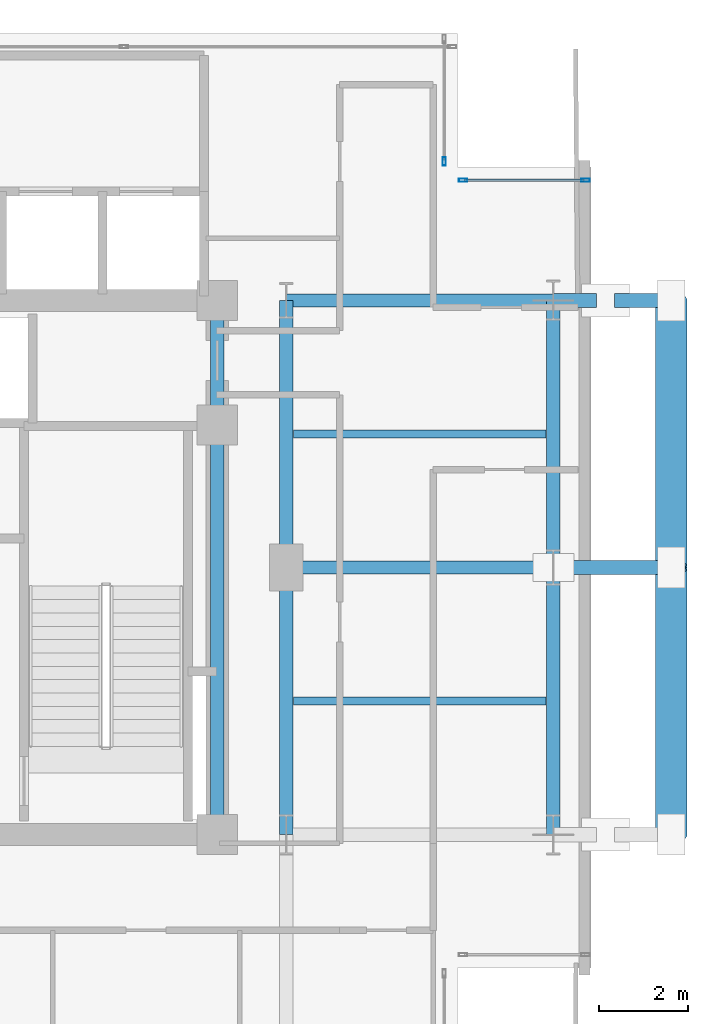
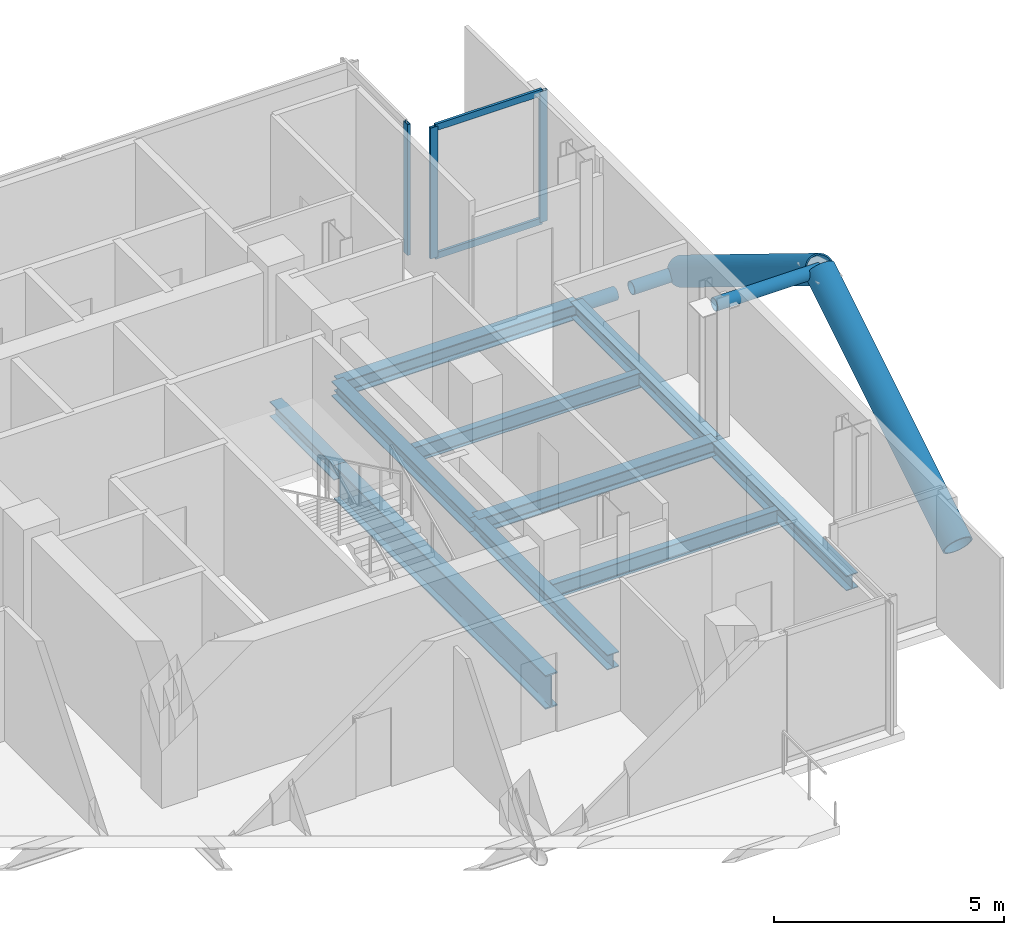
# One storey, part 12 of 26: 10 beams, 10 members, 2 elements without a shape of their own.
"""IFC4 building model written with IfcOpenShell, lengths in metres."""

from ifc_helpers import new_model, si_unit, direction, frame, origin, origin_2d, place, context, subcontext, project, spatial, hollow_rectangle, hollow_circle, i_section, extrude, material, layer, layer_set, material_profile, profile_set, type_object, element, aggregate, save


model = new_model("IFC4")

# Units and contexts
model_context = context("Model", 3, precision=1e-05, world=origin(), true_north=direction((0.0, 1.0)))
body_context = subcontext(model_context, "Body", "Model", "MODEL_VIEW")
ifc_project = project(units=[si_unit("LENGTHUNIT", "METRE"), si_unit("AREAUNIT", "SQUARE_METRE"), si_unit("VOLUMEUNIT", "CUBIC_METRE"), si_unit("PLANEANGLEUNIT", "RADIAN"), si_unit("MASSUNIT", "GRAM", prefix="KILO"), si_unit("THERMODYNAMICTEMPERATUREUNIT", "KELVIN"), si_unit("POWERUNIT", "WATT")], contexts=[model_context])

# Site, building, storey
site_placement = place(None, origin())
site = spatial("IfcSite", under=ifc_project, at=site_placement, CompositionType="ELEMENT")
building_placement = place(site_placement, origin())
building = spatial("IfcBuilding", under=site, at=building_placement, Name="Svarakhadi Broadcast Tower", CompositionType="ELEMENT")
storey_placement = place(building_placement, frame((0.0, 0.0, 195.449951171875)))
storey = spatial("IfcBuildingStorey", under=building, at=storey_placement, Name="L48", CompositionType="ELEMENT", Elevation=195.449951171875)

# Beams
ifc_material_1 = material(Name="Steel S355J2 (IS 2062 E350C)", Category="steel")
ifc_material_profile_1 = material_profile(ifc_material_1, i_section(OverallWidth=0.179931640625, OverallDepth=0.39990234375, WebThickness=0.008544921875, FlangeThickness=0.013427734375, FilletRadius=0.02099609375, at=origin_2d()), Name="NPB 400x180x66")
ifc_profile_set_1 = profile_set([ifc_material_profile_1], Name="Steel S355J2 (IS 2062 E350C)")
beam_type_1 = type_object("IfcBeamType", Name="Beam_NPB400", PredefinedType="BEAM", material=ifc_profile_set_1)
for number, where, z_axis, x_axis, name in (
    (1, (35.31005859375, 9.0, -0.409912109375), (1.0, 0.0, 0.0), (0.0, 1.0, 0.0), "L48 Secondary Composite Beam SB016"),
    (2, (35.31005859375, 15.0, -0.409912109375), (1.0, 0.0, 0.0), (0.0, 1.0, 0.0), "L48 Secondary Composite Beam SB017"),
):
    element("IfcBeam", number, at=place(storey_placement, frame(where, z_axis=z_axis, x_axis=x_axis)), inside=storey, type_object=beam_type_1, Name=name, PredefinedType="BEAM", context=body_context, shape_type="SweptSolid", body=[
        extrude(i_section(OverallWidth=0.179931640625, OverallDepth=0.39990234375, WebThickness=0.008544921875, FlangeThickness=0.013427734375, FilletRadius=0.02099609375, at=origin_2d()), origin(), (0.0, 0.0, 1.0), 5.679931640625),
    ])

# Curtain wall, member
ifc_material_2 = material(Name="Anodised Bronze Aluminium AA 6063-T6", Category="aluminium")
ifc_layer = layer(ifc_material_2, 0.18994140625)
ifc_layer_set = layer_set([ifc_layer], Name="Anodised Bronze Aluminium AA 6063-T6")
curtain_wall_type = type_object("IfcCurtainWallType", Name="CW_Sys_04", PredefinedType="NOTDEFINED", material=ifc_layer_set)
curtain_wall_1_placement = place(storey_placement, origin())
curtain_wall_1 = element("IfcCurtainWall", 3, at=curtain_wall_1_placement, inside=storey, type_object=curtain_wall_type, Name="L48 Unitised Facade Curtain Wall 11", PredefinedType="NOTDEFINED")
ifc_material_profile_2 = material_profile(ifc_material_2, hollow_rectangle(XDim=0.070068359375, YDim=0.18994140625, WallThickness=0.005615234375, at=origin_2d()), Name="ALU MULLION 190x70x6")
ifc_profile_set_2 = profile_set([ifc_material_profile_2], Name="Anodised Bronze Aluminium AA 6063-T6")
member_type_1 = type_object("IfcMemberType", Name="CW_Sys_04_Mul", PredefinedType="MULLION", material=ifc_profile_set_2)
member_1_placement = place(storey_placement, frame((38.699951171875, 21.125, 0.0), z_axis=(0.0, 0.0, 1.0), x_axis=(1.0, 0.0, 0.0)))
member_1 = element("IfcMember", 4, at=member_1_placement, type_object=member_type_1, Name="CW-04 mullion 2", PredefinedType="MULLION", context=body_context, shape_type="SweptSolid", body=[
    extrude(hollow_rectangle(XDim=0.070068359375, YDim=0.18994140625, WallThickness=0.005615234375, at=origin_2d()), origin(), (0.0, 0.0, 1.0), 3.47509765625),
])
aggregate(curtain_wall_1, [member_1])

# Curtain wall, members
curtain_wall_2_placement = place(storey_placement, origin())
curtain_wall_2 = element("IfcCurtainWall", 5, at=curtain_wall_2_placement, inside=storey, type_object=curtain_wall_type, Name="L48 Unitised Facade Curtain Wall 12", PredefinedType="NOTDEFINED")
member_2_placement = place(storey_placement, frame((39.125, 20.699951171875, 0.0), z_axis=(0.0, 0.0, 1.0), x_axis=(0.0, 1.0, 0.0)))
member_2 = element("IfcMember", 6, at=member_2_placement, type_object=member_type_1, Name="CW-04 mullion 1", PredefinedType="MULLION", context=body_context, shape_type="SweptSolid", body=[
    extrude(hollow_rectangle(XDim=0.070068359375, YDim=0.18994140625, WallThickness=0.005615234375, at=origin_2d()), origin(), (0.0, 0.0, 1.0), 3.47509765625),
])
member_3_placement = place(storey_placement, frame((41.875, 20.699951171875, 0.0), z_axis=(0.0, 0.0, 1.0), x_axis=(0.0, 1.0, 0.0)))
member_3 = element("IfcMember", 7, at=member_3_placement, type_object=member_type_1, Name="CW-04 mullion 2", PredefinedType="MULLION", context=body_context, shape_type="SweptSolid", body=[
    extrude(hollow_rectangle(XDim=0.070068359375, YDim=0.18994140625, WallThickness=0.005615234375, at=origin_2d()), origin(), (0.0, 0.0, 1.0), 3.47509765625),
])
ifc_material_profile_3 = material_profile(ifc_material_2, hollow_rectangle(XDim=0.06494140625, YDim=0.175048828125, WallThickness=0.0048828125, at=origin_2d()), Name="ALU TRANSOM 175x65x5")
ifc_profile_set_3 = profile_set([ifc_material_profile_3], Name="Anodised Bronze Aluminium AA 6063-T6")
member_type_2 = type_object("IfcMemberType", Name="CW_Sys_04_Trn", PredefinedType="USERDEFINED", material=ifc_profile_set_3)
member_4_placement = place(storey_placement, frame((39.159912109375, 20.699951171875, 0.032470703125), z_axis=(1.0, 0.0, 0.0), x_axis=(0.0, 1.0, 0.0)))
member_4 = element("IfcMember", 8, at=member_4_placement, type_object=member_type_2, Name="CW-04 transom 1.1", ObjectType="TRANSOM", PredefinedType="USERDEFINED", context=body_context, shape_type="SweptSolid", body=[
    extrude(hollow_rectangle(XDim=0.06494140625, YDim=0.175048828125, WallThickness=0.0048828125, at=origin_2d()), origin(), (0.0, 0.0, 1.0), 2.68017578125),
])
member_5_placement = place(storey_placement, frame((39.159912109375, 20.699951171875, 3.442626953125), z_axis=(1.0, 0.0, 0.0), x_axis=(0.0, 1.0, 0.0)))
member_5 = element("IfcMember", 9, at=member_5_placement, type_object=member_type_2, Name="CW-04 transom 1.2", ObjectType="TRANSOM", PredefinedType="USERDEFINED", context=body_context, shape_type="SweptSolid", body=[
    extrude(hollow_rectangle(XDim=0.06494140625, YDim=0.175048828125, WallThickness=0.0048828125, at=origin_2d()), origin(), (0.0, 0.0, 1.0), 2.68017578125),
])
aggregate(curtain_wall_2, [member_2, member_3, member_4, member_5])

# Members
ifc_material_3 = material(Name="Steel S460ML (IS 2062 E450BR)", Category="steel")
ifc_material_profile_4 = material_profile(ifc_material_3, hollow_circle(Radius=0.35546875, WallThickness=0.034912109375, at=origin_2d()), Name="CHS 711x35")
ifc_profile_set_4 = profile_set([ifc_material_profile_4], Name="Steel S460ML (IS 2062 E450BR)")
member_type_3 = type_object("IfcMemberType", Name="Exo_Brace_CHS711", PredefinedType="BRACE", material=ifc_profile_set_4)
for number, where, z_axis, x_axis, name in (
    (10, (43.800048828125, 6.0, -0.371826171875), (0.0, 0.852132977326, 0.523325318472), (-1.0, 0.0, 0.0), "L48 Exposed Bronze Exoskeleton Diagonal E06"),
    (11, (43.800048828125, 18.0, -0.371826171875), (0.0, -0.852132977326, 0.523325318472), (1.0, 0.0, 0.0), "L48 Exposed Bronze Exoskeleton Diagonal E07"),
):
    element("IfcMember", number, at=place(storey_placement, frame(where, z_axis=z_axis, x_axis=x_axis)), inside=storey, type_object=member_type_3, Name=name, PredefinedType="BRACE", context=body_context, shape_type="SweptSolid", body=[
        extrude(hollow_circle(Radius=0.35546875, WallThickness=0.034912109375, at=origin_2d()), origin(), (0.0, 0.0, 1.0), 7.041259765625),
    ])
ifc_material_profile_5 = material_profile(ifc_material_3, hollow_circle(Radius=0.161865234375, WallThickness=0.01611328125, at=origin_2d()), Name="CHS 323.9x16")
ifc_profile_set_5 = profile_set([ifc_material_profile_5], Name="Steel S460ML (IS 2062 E450BR)")
member_type_4 = type_object("IfcMemberType", Name="Exo_Radial_Strut_Z2", PredefinedType="STRUT", material=ifc_profile_set_5)
member_6_placement = place(storey_placement, frame((43.800048828125, 18.0, -0.371826171875), z_axis=(-1.0, 0.0, 0.0), x_axis=(0.0, -1.0, 0.0)))
element("IfcMember", 12, at=member_6_placement, inside=storey, type_object=member_type_4, Name="L48 Exoskeleton Radial Tie Strut E08A", PredefinedType="STRUT", context=body_context, shape_type="SweptSolid", body=[
    extrude(hollow_circle(Radius=0.161865234375, WallThickness=0.01611328125, at=origin_2d()), origin(), (0.0, 0.0, 1.0), 1.270263671875),
])
member_7_placement = place(storey_placement, frame((42.123779296875, 18.0, -0.371826171875), z_axis=(-1.0, 0.0, 0.0), x_axis=(0.0, -1.0, 0.0)))
element("IfcMember", 13, at=member_7_placement, inside=storey, type_object=member_type_4, Name="L48 Exoskeleton Radial Tie Strut E08B", PredefinedType="STRUT", context=body_context, shape_type="SweptSolid", body=[
    extrude(hollow_circle(Radius=0.161865234375, WallThickness=0.01611328125, at=origin_2d()), origin(), (0.0, 0.0, 1.0), 0.973876953125),
])
member_8_placement = place(storey_placement, frame((43.800048828125, 12.0, 3.31298828125), z_axis=(-1.0, 0.0, 0.0), x_axis=(0.0, -1.0, 0.0)))
element("IfcMember", 14, at=member_8_placement, inside=storey, type_object=member_type_4, Name="L48 Exoskeleton Setback Top Radial Tie E01", PredefinedType="STRUT", context=body_context, shape_type="SweptSolid", body=[
    extrude(hollow_circle(Radius=0.161865234375, WallThickness=0.01611328125, at=origin_2d()), origin(), (0.0, 0.0, 1.0), 2.650146484375),
])

# Beams
ifc_material_profile_6 = material_profile(ifc_material_1, i_section(OverallWidth=0.300048828125, OverallDepth=0.39990234375, WebThickness=0.013427734375, FlangeThickness=0.02392578125, FilletRadius=0.027099609375, at=origin_2d()), Name="WPB 400x300x155")
ifc_profile_set_6 = profile_set([ifc_material_profile_6], Name="Steel S355J2 (IS 2062 E350C)")
beam_type_2 = type_object("IfcBeamType", Name="Girder_WPB400", PredefinedType="USERDEFINED", material=ifc_profile_set_6)
for number, where, z_axis, x_axis, name in (
    (15, (35.14990234375, 12.0, -0.409912109375), (1.0, 0.0, 0.0), (0.0, 1.0, 0.0), "L48 Primary E-W Girder G019"),
    (16, (35.14990234375, 18.0, -0.409912109375), (1.0, 0.0, 0.0), (0.0, 1.0, 0.0), "L48 Primary E-W Girder G025"),
):
    element("IfcBeam", number, at=place(storey_placement, frame(where, z_axis=z_axis, x_axis=x_axis)), inside=storey, type_object=beam_type_2, Name=name, ObjectType="GIRDER", PredefinedType="USERDEFINED", context=body_context, shape_type="SweptSolid", body=[
        extrude(i_section(OverallWidth=0.300048828125, OverallDepth=0.39990234375, WebThickness=0.013427734375, FlangeThickness=0.02392578125, FilletRadius=0.027099609375, at=origin_2d()), origin(), (0.0, 0.0, 1.0), 6.0),
    ])
beam_1_placement = place(storey_placement, frame((33.60009765625, 15.199951171875, -0.409912109375), z_axis=(0.0, 1.0, 0.0), x_axis=(-1.0, 0.0, 0.0)))
element("IfcBeam", 17, at=beam_1_placement, inside=storey, type_object=beam_type_2, Name="L48 Primary N-S Girder G055", ObjectType="GIRDER", PredefinedType="USERDEFINED", context=body_context, shape_type="SweptSolid", body=[
    extrude(i_section(OverallWidth=0.300048828125, OverallDepth=0.39990234375, WebThickness=0.013427734375, FlangeThickness=0.02392578125, FilletRadius=0.027099609375, at=origin_2d()), origin(), (0.0, 0.0, 1.0), 2.800048828125),
])
for number, where, z_axis, x_axis, name in (
    (18, (35.14990234375, 6.0, -0.409912109375), (0.0, 1.0, 0.0), (-1.0, 0.0, 0.0), "L48 Primary N-S Girder G057"),
    (19, (35.14990234375, 12.0, -0.409912109375), (0.0, 1.0, 0.0), (-1.0, 0.0, 0.0), "L48 Primary N-S Girder G058"),
    (20, (41.14990234375, 6.0, -0.409912109375), (0.0, 1.0, 0.0), (-1.0, 0.0, 0.0), "L48 Primary N-S Girder G059"),
    (21, (41.14990234375, 12.0, -0.409912109375), (0.0, 1.0, 0.0), (-1.0, 0.0, 0.0), "L48 Primary N-S Girder G060"),
):
    element("IfcBeam", number, at=place(storey_placement, frame(where, z_axis=z_axis, x_axis=x_axis)), inside=storey, type_object=beam_type_2, Name=name, ObjectType="GIRDER", PredefinedType="USERDEFINED", context=body_context, shape_type="SweptSolid", body=[
        extrude(i_section(OverallWidth=0.300048828125, OverallDepth=0.39990234375, WebThickness=0.013427734375, FlangeThickness=0.02392578125, FilletRadius=0.027099609375, at=origin_2d()), origin(), (0.0, 0.0, 1.0), 6.0),
    ])
ifc_material_profile_7 = material_profile(ifc_material_3, i_section(OverallWidth=0.300048828125, OverallDepth=0.89990234375, WebThickness=0.0185546875, FlangeThickness=0.034912109375, FilletRadius=0.030029296875, at=origin_2d()), Name="WPB 900x300x291")
ifc_profile_set_7 = profile_set([ifc_material_profile_7], Name="Steel S460ML (IS 2062 E450BR)")
beam_type_3 = type_object("IfcBeamType", Name="Girder_WPB900", PredefinedType="USERDEFINED", material=ifc_profile_set_7)
beam_2_placement = place(storey_placement, frame((33.60009765625, 6.0, -0.659912109375), z_axis=(0.0, 1.0, 0.0), x_axis=(-1.0, 0.0, 0.0)))
element("IfcBeam", 22, at=beam_2_placement, inside=storey, type_object=beam_type_3, Name="L48 Primary N-S Girder G054", ObjectType="GIRDER", PredefinedType="USERDEFINED", context=body_context, shape_type="SweptSolid", body=[
    extrude(i_section(OverallWidth=0.300048828125, OverallDepth=0.89990234375, WebThickness=0.0185546875, FlangeThickness=0.034912109375, FilletRadius=0.030029296875, at=origin_2d()), origin(), (0.0, 0.0, 1.0), 9.199951171875),
])

save(model, "model.ifc")
